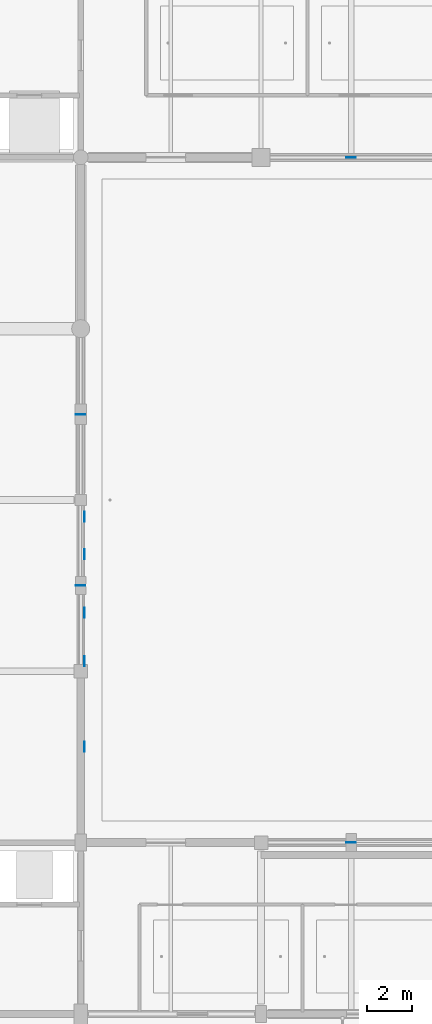
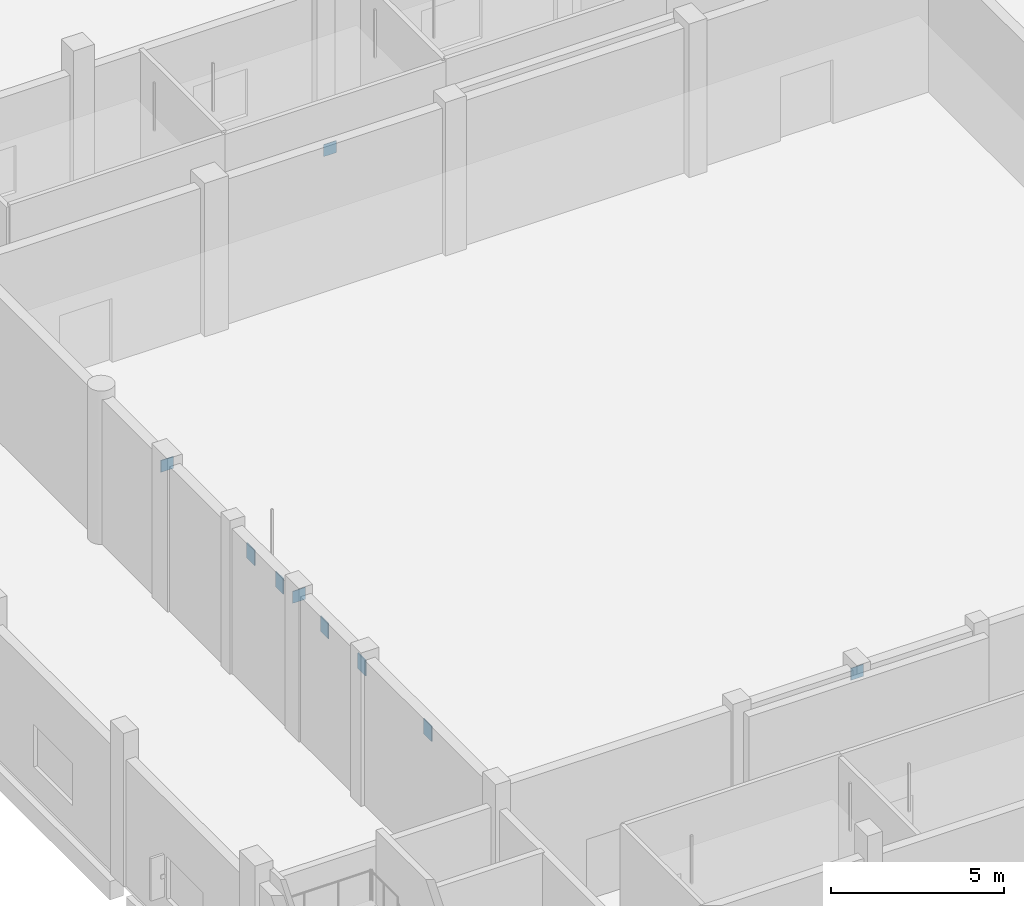
# One storey, part 55 of 126: 9 plates.
"""IFC4 building model written with IfcOpenShell, lengths in metres."""

from ifc_helpers import new_model, si_unit, direction, frame, origin, origin_2d, place, context, subcontext, project, spatial, rectangle, extrude, material, layer, layer_set, type_object, element, save


model = new_model("IFC4")

# Units and contexts
model_context = context("Model", 3, precision=1e-05, world=origin(), true_north=direction((0.0, 1.0)))
body_context = subcontext(model_context, "Body", "Model", "MODEL_VIEW")
ifc_project = project(units=[si_unit("LENGTHUNIT", "METRE"), si_unit("AREAUNIT", "SQUARE_METRE"), si_unit("VOLUMEUNIT", "CUBIC_METRE"), si_unit("PLANEANGLEUNIT", "RADIAN"), si_unit("MASSUNIT", "GRAM", prefix="KILO")], contexts=[model_context])

# Site, building, storey
site_placement = place(None, origin())
site = spatial("IfcSite", under=ifc_project, at=site_placement, CompositionType="ELEMENT")
building_placement = place(site_placement, origin())
building = spatial("IfcBuilding", under=site, at=building_placement, Name="Khelvaren Railside Concert Hall", CompositionType="ELEMENT")
storey_placement = place(building_placement, origin())
storey = spatial("IfcBuildingStorey", under=building, at=storey_placement, Name="L00", CompositionType="ELEMENT", Elevation=0.0)

# Plates
ifc_material = material(Name="Steel S355", Category="steel")
ifc_layer_1 = layer(ifc_material, 0.028076171875)
ifc_layer_set_1 = layer_set([ifc_layer_1], Name="Steel S355")
plate_type_1 = type_object("IfcPlateType", Name="GP71", PredefinedType="USERDEFINED", material=ifc_layer_set_1)
for number, where, z_axis, x_axis, name in (
    (1, (8.169921875, 11.85009765625, 4.11083984375), (0.0, 0.0, 1.0), (1.0, 0.0, 0.0), "Cast-In Shear Wall Raker Embedment Plate V1-L01-01"),
    (2, (8.169921875, 15.64990234375, 4.11083984375), (0.0, 0.0, 1.0), (1.0, 0.0, 0.0), "Cast-In Shear Wall Raker Embedment Plate V1-L01-02"),
    (3, (8.169921875, 17.800048828125, 4.11083984375), (0.0, 0.0, 1.0), (1.0, 0.0, 0.0), "Cast-In Shear Wall Raker Embedment Plate V1-L01-03"),
    (4, (8.169921875, 20.39990234375, 4.11083984375), (0.0, 0.0, 1.0), (1.0, 0.0, 0.0), "Cast-In Shear Wall Raker Embedment Plate V1-L01-04"),
    (5, (8.169921875, 22.050048828125, 4.11083984375), (0.0, 0.0, 1.0), (1.0, 0.0, 0.0), "Cast-In Shear Wall Raker Embedment Plate V1-L01-05"),
):
    element("IfcPlate", number, at=place(storey_placement, frame(where, z_axis=z_axis, x_axis=x_axis)), inside=storey, type_object=plate_type_1, Name=name, ObjectType="GUSSET PLATE", PredefinedType="USERDEFINED", context=body_context, shape_type="SweptSolid", body=[
        extrude(rectangle(XDim=0.028076171875, YDim=0.449951171875, at=origin_2d()), origin(), (0.0, 0.0, 1.0), 0.550048828125),
    ])
ifc_layer_2 = layer(ifc_material, 0.02197265625)
ifc_layer_set_2 = layer_set([ifc_layer_2], Name="Steel S355")
plate_type_2 = type_object("IfcPlateType", Name="STP73", PredefinedType="USERDEFINED", material=ifc_layer_set_2)
for number, where, z_axis, x_axis, name in (
    (6, (8.0, 19.0, 4.64013671875), (0.0, 0.0, 1.0), (1.0, 0.0, 0.0), "V1 L00 Brace Apex Stiffener Plate 2"),
    (7, (8.0, 26.60009765625, 4.64013671875), (0.0, 0.0, 1.0), (1.0, 0.0, 0.0), "V1 L00 Brace Apex Stiffener Plate 12"),
    (8, (20.0, 7.60009765625, 4.64013671875), (0.0, 0.0, 1.0), (1.0, 0.0, 0.0), "V1 L00 Brace Apex Stiffener Plate 22"),
    (9, (20.0, 38.0, 4.64013671875), (0.0, 0.0, 1.0), (1.0, 0.0, 0.0), "V1 L00 Brace Apex Stiffener Plate 32"),
):
    element("IfcPlate", number, at=place(storey_placement, frame(where, z_axis=z_axis, x_axis=x_axis)), inside=storey, type_object=plate_type_2, Name=name, ObjectType="STIFFENER PLATE", PredefinedType="USERDEFINED", context=body_context, shape_type="SweptSolid", body=[
        extrude(rectangle(XDim=0.419921875, YDim=0.02197265625, at=origin_2d()), origin(), (0.0, 0.0, 1.0), 0.419921875),
    ])

save(model, "model.ifc")
